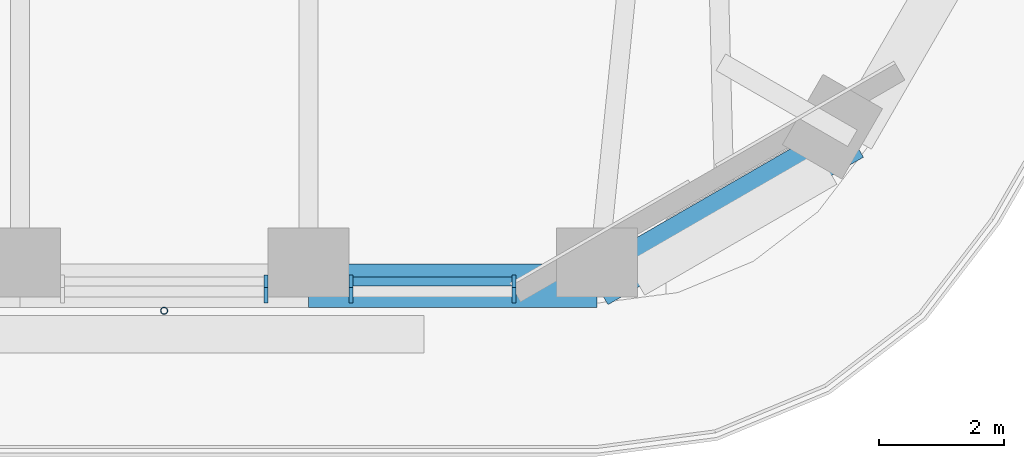
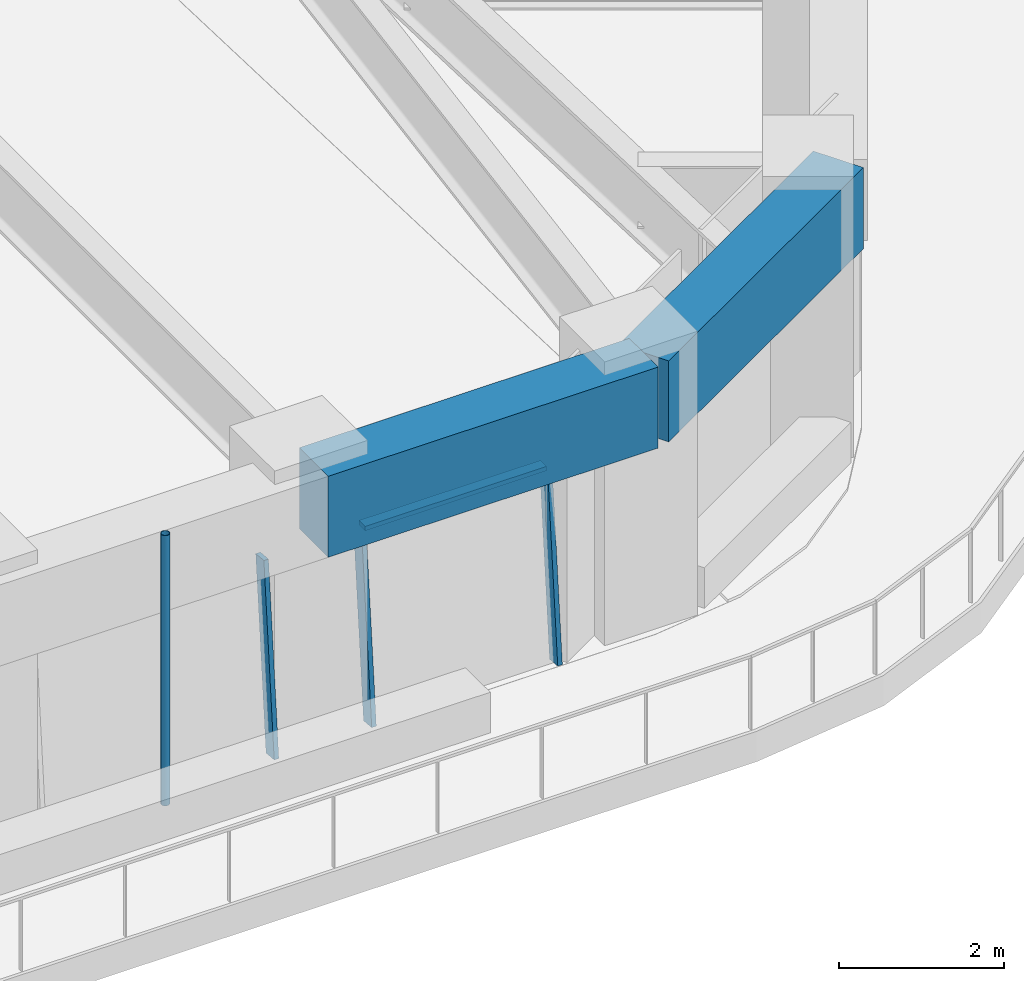
# One storey, part 4 of 20: 5 members, 2 beams, 2 elements without a shape of their own.
"""IFC4 building model written with IfcOpenShell, lengths in metres."""

from ifc_helpers import new_model, si_unit, direction, frame, origin, origin_2d, place, context, subcontext, project, spatial, rectangle, hollow_circle, extrude, material, material_profile, profile_set, type_object, element, aggregate, save


model = new_model("IFC4")

# Units and contexts
model_context = context("Model", 3, precision=1e-05, world=origin(), true_north=direction((0.0, 1.0)))
body_context = subcontext(model_context, "Body", "Model", "MODEL_VIEW")
ifc_project = project(units=[si_unit("LENGTHUNIT", "METRE"), si_unit("AREAUNIT", "SQUARE_METRE"), si_unit("VOLUMEUNIT", "CUBIC_METRE"), si_unit("PLANEANGLEUNIT", "RADIAN"), si_unit("MASSUNIT", "GRAM", prefix="KILO")], contexts=[model_context])

# Site, building, storey
site_placement = place(None, origin())
site = spatial("IfcSite", under=ifc_project, at=site_placement, CompositionType="ELEMENT")
building_placement = place(site_placement, origin())
building = spatial("IfcBuilding", under=site, at=building_placement, Name="Tarfa Lantern Tower", CompositionType="ELEMENT")
storey_placement = place(building_placement, frame((0.0, 0.0, 244.89990234375)))
storey = spatial("IfcBuildingStorey", under=building, at=storey_placement, Name="L55", CompositionType="ELEMENT", Elevation=244.89990234375)

# Curtain wall, member
ifc_material_1 = material(Name="Aluminium framed curtain wall", Category="aluminium")
curtain_wall_type = type_object("IfcCurtainWallType", Name="CW3 CANTED GLAZING HIGH ZONE 2800", PredefinedType="USERDEFINED", material=ifc_material_1)
curtain_wall_1_placement = place(storey_placement, origin())
curtain_wall_1 = element("IfcCurtainWall", 1, at=curtain_wall_1_placement, inside=storey, type_object=curtain_wall_type, Name="CW3 S L55", ObjectType="CURTAIN WALL", PredefinedType="USERDEFINED")
ifc_material_2 = material(Name="Aluminium mullion", Category="aluminium")
ifc_material_profile_1 = material_profile(ifc_material_2, rectangle(XDim=0.06494140625, YDim=0.199951171875, at=origin_2d()), Name="AL MULLION 65x200")
ifc_profile_set_1 = profile_set([ifc_material_profile_1], Name="Aluminium mullion")
member_type_1 = type_object("IfcMemberType", Name="CWM1 MULLION 65x200", PredefinedType="MULLION", material=ifc_profile_set_1)
member_1_placement = place(storey_placement, frame((8.55517578125, -28.89990234375, 0.0), z_axis=(0.0, 0.088930399417, 0.996037842685), x_axis=(-1.0, 0.0, 0.0)))
member_1 = element("IfcMember", 2, at=member_1_placement, type_object=member_type_1, Name="CW3 mullion 2", PredefinedType="MULLION", context=body_context, shape_type="SweptSolid", body=[
    extrude(rectangle(XDim=0.06494140625, YDim=0.199951171875, at=origin_2d()), origin(), (0.0, 0.0, 1.0), 2.811279296875),
])
aggregate(curtain_wall_1, [member_1])

# Curtain wall, members
curtain_wall_2_placement = place(storey_placement, origin())
curtain_wall_2 = element("IfcCurtainWall", 3, at=curtain_wall_2_placement, inside=storey, type_object=curtain_wall_type, Name="CW3 S L55", ObjectType="CURTAIN WALL", PredefinedType="USERDEFINED")
member_2_placement = place(storey_placement, frame((9.920166015625, -28.89990234375, 0.0), z_axis=(0.0, 0.088930399417, 0.996037842685), x_axis=(-1.0, 0.0, 0.0)))
member_2 = element("IfcMember", 4, at=member_2_placement, type_object=member_type_1, Name="CW3 mullion 1", PredefinedType="MULLION", context=body_context, shape_type="SweptSolid", body=[
    extrude(rectangle(XDim=0.06494140625, YDim=0.199951171875, at=origin_2d()), origin(), (0.0, 0.0, 1.0), 2.811279296875),
])
member_3_placement = place(storey_placement, frame((12.52392578125, -28.89990234375, 0.0), z_axis=(0.0, 0.088930399417, 0.996037842685), x_axis=(-1.0, 0.0, 0.0)))
member_3 = element("IfcMember", 5, at=member_3_placement, type_object=member_type_1, Name="CW3 mullion 2", PredefinedType="MULLION", context=body_context, shape_type="SweptSolid", body=[
    extrude(rectangle(XDim=0.06494140625, YDim=0.199951171875, at=origin_2d()), origin(), (0.0, 0.0, 1.0), 2.811279296875),
])
ifc_material_3 = material(Name="Aluminium transom", Category="aluminium")
ifc_material_profile_2 = material_profile(ifc_material_3, rectangle(XDim=0.14990234375, YDim=0.06494140625, at=origin_2d()), Name="AL TRANSOM 150x65")
ifc_profile_set_2 = profile_set([ifc_material_profile_2], Name="Aluminium transom")
member_type_2 = type_object("IfcMemberType", Name="CWT1 TRANSOM 150x65", PredefinedType="USERDEFINED", material=ifc_profile_set_2)
member_4_placement = place(storey_placement, frame((9.95263671875, -28.65283203125, 2.767578125), z_axis=(1.0, 0.0, 0.0), x_axis=(0.0, 1.0, 0.0)))
member_4 = element("IfcMember", 6, at=member_4_placement, type_object=member_type_2, Name="CW3 transom 1.2", ObjectType="TRANSOM", PredefinedType="USERDEFINED", context=body_context, shape_type="SweptSolid", body=[
    extrude(rectangle(XDim=0.14990234375, YDim=0.06494140625, at=origin_2d()), origin(), (0.0, 0.0, 1.0), 2.538818359375),
])
aggregate(curtain_wall_2, [member_2, member_3, member_4])

# Beams
ifc_material_4 = material(Name="Concrete C80/95", Category="concrete")
ifc_material_profile_3 = material_profile(ifc_material_4, rectangle(XDim=0.699951171875, YDim=1.199951171875, at=origin_2d()), Name="RC 700x1200")
ifc_profile_set_3 = profile_set([ifc_material_profile_3], Name="Concrete C80/95")
beam_type = type_object("IfcBeamType", Name="EB3 RC 700x1200", PredefinedType="SPANDREL", material=ifc_profile_set_3)
beam_1_placement = place(storey_placement, frame((9.237548828125, -28.719970703125, 3.400146484375), z_axis=(1.0, 0.0, 0.0), x_axis=(0.0, 1.0, 0.0)))
element("IfcBeam", 7, at=beam_1_placement, inside=storey, type_object=beam_type, Name="Edge beam S5", PredefinedType="SPANDREL", context=body_context, shape_type="SweptSolid", body=[
    extrude(rectangle(XDim=0.699951171875, YDim=1.199951171875, at=origin_2d()), origin(), (0.0, 0.0, 1.0), 4.618896484375),
])
beam_2_placement = place(storey_placement, frame((13.8564453125, -28.719970703125, 3.400146484375), z_axis=(0.866038294681, 0.499977671647, 0.0), x_axis=(-0.499977671647, 0.866038294681, 0.0)))
element("IfcBeam", 8, at=beam_2_placement, inside=storey, type_object=beam_type, Name="Edge beam S6", PredefinedType="SPANDREL", context=body_context, shape_type="SweptSolid", body=[
    extrude(rectangle(XDim=0.699951171875, YDim=1.199951171875, at=origin_2d()), origin(), (0.0, 0.0, 1.0), 4.719970703125),
])

# Member
ifc_material_5 = material(Name="Steel S355", Category="steel")
ifc_material_profile_4 = material_profile(ifc_material_5, hollow_circle(Radius=0.05712890625, WallThickness=0.00634765625, at=origin_2d()), Name="CHS114.3x6.3")
ifc_profile_set_4 = profile_set([ifc_material_profile_4], Name="Steel S355")
member_type_3 = type_object("IfcMemberType", Name="TR1 GREEN WALL TRELLIS CHS114.3x6.3", PredefinedType="USERDEFINED", material=ifc_profile_set_4)
member_5_placement = place(storey_placement, frame((6.92822265625, -29.1201171875, 0.0), z_axis=(0.0, 0.0, 1.0), x_axis=(1.0, 0.0, 0.0)))
element("IfcMember", 9, at=member_5_placement, inside=storey, type_object=member_type_3, Name="Trellis post S 2", ObjectType="TRELLIS", PredefinedType="USERDEFINED", context=body_context, shape_type="SweptSolid", body=[
    extrude(hollow_circle(Radius=0.05712890625, WallThickness=0.00634765625, at=origin_2d()), origin(), (0.0, 0.0, 1.0), 4.0),
])

save(model, "model.ifc")
